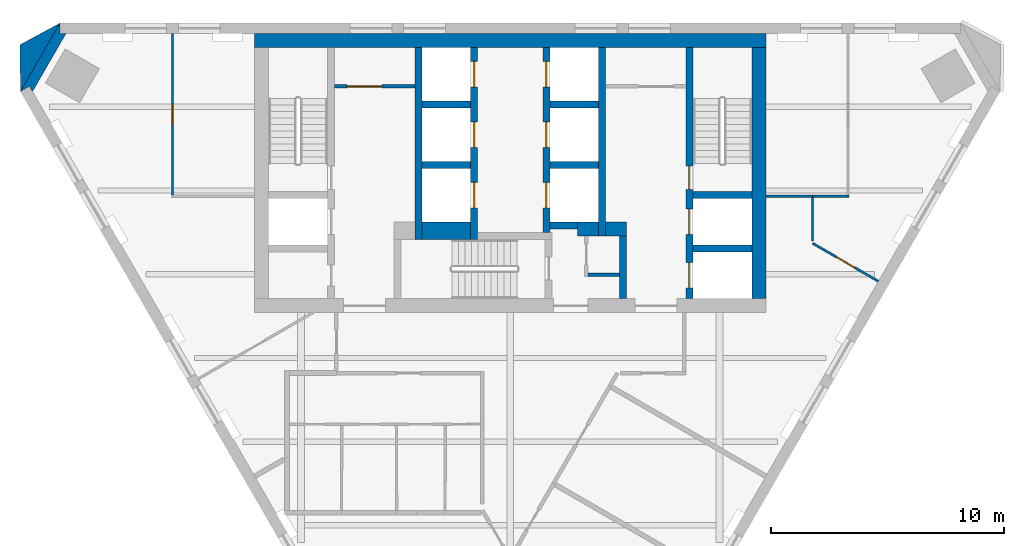
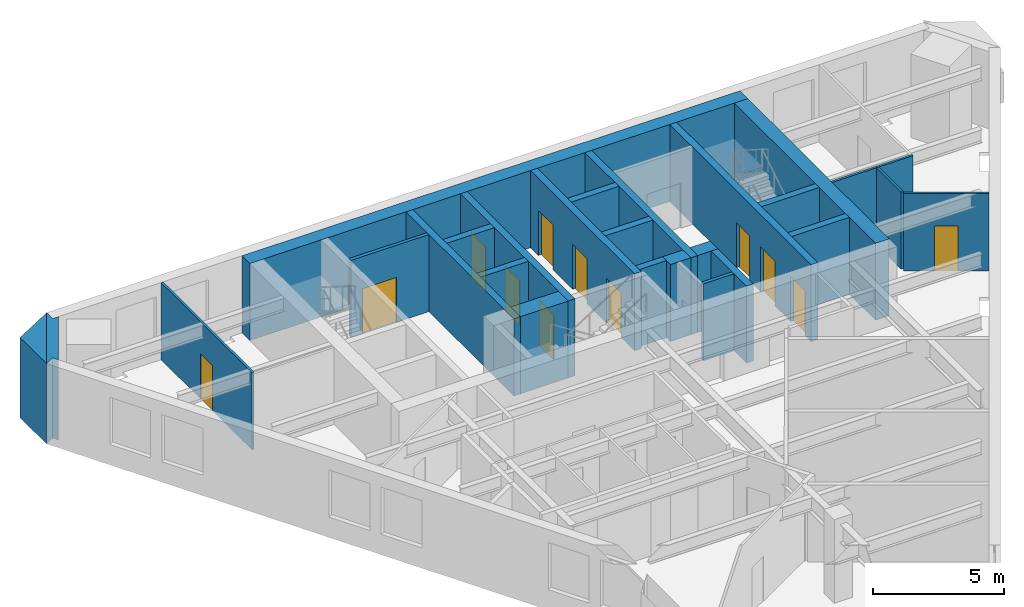
# One storey, part 4 of 6: 27 walls, 12 doors, 12 openings.
"""IFC4 building model written with IfcOpenShell, lengths in metres."""

from ifc_helpers import new_model, si_unit, direction, frame, frame_2d, origin, place, context, subcontext, project, spatial, polyline, rectangle, outline, extrude, material, layer, layer_set, type_object, element, fill, save


model = new_model("IFC4")

# Units and contexts
model_context = context("Model", 3, precision=1e-05, world=origin(), true_north=direction((0.0, 1.0)))
body_context = subcontext(model_context, "Body", "Model", "MODEL_VIEW")
ifc_project = project(units=[si_unit("LENGTHUNIT", "METRE"), si_unit("AREAUNIT", "SQUARE_METRE"), si_unit("VOLUMEUNIT", "CUBIC_METRE"), si_unit("PLANEANGLEUNIT", "RADIAN"), si_unit("MASSUNIT", "GRAM", prefix="KILO")], contexts=[model_context])

# Site, building, storey
site_placement = place(None, origin())
site = spatial("IfcSite", under=ifc_project, at=site_placement, CompositionType="ELEMENT")
building_placement = place(site_placement, origin())
building = spatial("IfcBuilding", under=site, at=building_placement, Name="Aloe Facet Convention Tower", CompositionType="ELEMENT")
storey_placement = place(building_placement, frame((0.0, 0.0, 223.10009765625)))
storey = spatial("IfcBuildingStorey", under=building, at=storey_placement, Name="L56", CompositionType="ELEMENT", Elevation=223.10009765625)

# Wall, opening, door
ifc_material_1 = material(Name="Concrete blockwork partition", Category="masonry")
ifc_layer_1 = layer(ifc_material_1, 0.14990234375)
ifc_layer_set_1 = layer_set([ifc_layer_1], Name="CR-W-PART150")
wall_type_1 = type_object("IfcWallType", Name="CR-W-PART150", PredefinedType="PARTITIONING", material=ifc_layer_set_1)
wall_1_placement = place(storey_placement, frame((72.449951171875, 132.27490234375, 0.0), z_axis=(0.0, 0.0, 1.0), x_axis=(1.0, 0.0, 0.0)))
wall_1 = element("IfcWall", 1, at=wall_1_placement, inside=storey, type_object=wall_type_1, Name="Core partition L56-007", PredefinedType="PARTITIONING", context=body_context, shape_type="SweptSolid", body=[
    extrude(rectangle(XDim=3.449951171875, YDim=0.14990234375, at=frame_2d((1.72509765625, 0.0))), origin(), (0.0, 0.0, 1.0), 3.599853515625),
])
opening_1_placement = place(wall_1_placement, frame((0.52490234375, 0.0, 0.0)))
opening_1 = element("IfcOpeningElement", 2, at=opening_1_placement, cuts=wall_1, Name="Opening L56-CD14", PredefinedType="OPENING", context=body_context, shape_type="SweptSolid", body=[
    extrude(rectangle(XDim=1.5, YDim=2.10009765625, at=frame_2d((0.75, 1.050048828125))), frame((0.0, 0.0849609375, 0.0), z_axis=(0.0, -1.0, 0.0), x_axis=(1.0, 0.0, 0.0)), (0.0, 0.0, 1.0), 0.169921875),
])
ifc_material_2 = material(Name="Steel fire-resisting door set FD60", Category="steel")
door_type_1 = type_object("IfcDoorType", Name="CR-D-REFUGE-1500-FD60-DD", OperationType="DOUBLE_DOOR_DOUBLE_SWING", PredefinedType="DOOR", material=ifc_material_2)
door_1_placement = place(opening_1_placement, origin())
door_1 = element("IfcDoor", 3, at=door_1_placement, inside=storey, type_object=door_type_1, Name="Core door L56-CD14", OperationType="DOUBLE_DOOR_DOUBLE_SWING", OverallHeight=2.10009765625, OverallWidth=1.5, PredefinedType="DOOR", context=body_context, shape_type="SweptSolid", body=[
    extrude(rectangle(XDim=1.5, YDim=2.10009765625, at=frame_2d((0.75, 1.050048828125))), frame((0.0, 0.02490234375, 0.0), z_axis=(0.0, -1.0, 0.0), x_axis=(1.0, 0.0, 0.0)), (0.0, 0.0, 1.0), 0.050048828125),
])
fill(opening_1, door_1)

# Walls
wall_2_placement = place(storey_placement, frame((83.35009765625, 124.175048828125, 0.0), z_axis=(0.0, 0.0, 1.0), x_axis=(1.0, 0.0, 0.0)))
element("IfcWall", 4, at=wall_2_placement, inside=storey, type_object=wall_type_1, Name="Core partition L56-023", PredefinedType="PARTITIONING", context=body_context, shape_type="SweptSolid", body=[
    extrude(rectangle(XDim=1.349853515625, YDim=0.14990234375, at=frame_2d((0.6748046875, 0.0))), origin(), (0.0, 0.0, 1.0), 3.599853515625),
])
ifc_material_3 = material(Name="Concrete C50/60", Category="concrete")
ifc_layer_2 = layer(ifc_material_3, 0.300048828125)
ifc_layer_set_2 = layer_set([ifc_layer_2], Name="CR-W-RC300-C5060")
wall_type_2 = type_object("IfcWallType", Name="CR-W-RC300-C5060", PredefinedType="SOLIDWALL", material=ifc_layer_set_2)
wall_3_placement = place(storey_placement, frame((76.050048828125, 133.949951171875, 0.0), z_axis=(0.0, 0.0, 1.0), x_axis=(0.0, -1.0, 0.0)))
element("IfcWall", 5, at=wall_3_placement, inside=storey, type_object=wall_type_2, Name="Core wall L56-010", PredefinedType="SOLIDWALL", context=body_context, shape_type="SweptSolid", body=[
    extrude(rectangle(XDim=8.25, YDim=0.300048828125, at=frame_2d((4.125, 0.0))), origin(), (0.0, 0.0, 1.0), 3.599853515625),
])
for number, where, z_axis, x_axis, name in (
    (6, (76.199951171875, 131.5, 0.0), (0.0, 0.0, 1.0), (1.0, 0.0, 0.0), "Core wall L56-011"),
    (7, (76.199951171875, 128.89990234375, 0.0), (0.0, 0.0, 1.0), (1.0, 0.0, 0.0), "Core wall L56-012"),
):
    element("IfcWall", number, at=place(storey_placement, frame(where, z_axis=z_axis, x_axis=x_axis)), inside=storey, type_object=wall_type_2, Name=name, PredefinedType="SOLIDWALL", context=body_context, shape_type="SweptSolid", body=[
        extrude(rectangle(XDim=2.10009765625, YDim=0.300048828125, at=frame_2d((1.050048828125, 0.0))), origin(), (0.0, 0.0, 1.0), 3.599853515625),
    ])

# Wall, openings, doors
wall_4_placement = place(storey_placement, frame((78.449951171875, 133.949951171875, 0.0), z_axis=(0.0, 0.0, 1.0), x_axis=(0.0, -1.0, 0.0)))
wall_4 = element("IfcWall", 8, at=wall_4_placement, inside=storey, type_object=wall_type_2, Name="Core wall L56-014", PredefinedType="SOLIDWALL", context=body_context, shape_type="SweptSolid", body=[
    extrude(rectangle(XDim=8.25, YDim=0.300048828125, at=frame_2d((4.125, 0.0))), origin(), (0.0, 0.0, 1.0), 3.599853515625),
])
opening_2_placement = place(wall_4_placement, frame((0.60009765625, 0.0, 0.0)))
opening_2 = element("IfcOpeningElement", 9, at=opening_2_placement, cuts=wall_4, Name="Opening LD-B1-L56", PredefinedType="OPENING", context=body_context, shape_type="SweptSolid", body=[
    extrude(rectangle(XDim=1.10009765625, YDim=2.10009765625, at=frame_2d((0.550048828125, 1.050048828125))), frame((0.0, 0.16015625, 0.0), z_axis=(0.0, -1.0, 0.0), x_axis=(1.0, 0.0, 0.0)), (0.0, 0.0, 1.0), 0.320068359375),
])
opening_3_placement = place(wall_4_placement, frame((3.199951171875, 0.0, 0.0)))
opening_3 = element("IfcOpeningElement", 10, at=opening_3_placement, cuts=wall_4, Name="Opening LD-B2-L56", PredefinedType="OPENING", context=body_context, shape_type="SweptSolid", body=[
    extrude(rectangle(XDim=1.10009765625, YDim=2.10009765625, at=frame_2d((0.550048828125, 1.050048828125))), frame((0.0, 0.16015625, 0.0), z_axis=(0.0, -1.0, 0.0), x_axis=(1.0, 0.0, 0.0)), (0.0, 0.0, 1.0), 0.320068359375),
])
opening_4_placement = place(wall_4_placement, frame((5.800048828125, 0.0, 0.0)))
opening_4 = element("IfcOpeningElement", 11, at=opening_4_placement, cuts=wall_4, Name="Opening LD-B3-L56", PredefinedType="OPENING", context=body_context, shape_type="SweptSolid", body=[
    extrude(rectangle(XDim=1.10009765625, YDim=2.10009765625, at=frame_2d((0.550048828125, 1.050048828125))), frame((0.0, 0.16015625, 0.0), z_axis=(0.0, -1.0, 0.0), x_axis=(1.0, 0.0, 0.0)), (0.0, 0.0, 1.0), 0.320068359375),
])
ifc_material_4 = material(Name="Stainless steel sliding landing door", Category="steel")
door_type_2 = type_object("IfcDoorType", Name="CR-LD-1100-FD60-RIGHT", OperationType="SLIDING_TO_RIGHT", PredefinedType="DOOR", material=ifc_material_4)
door_2_placement = place(opening_2_placement, origin())
door_2 = element("IfcDoor", 12, at=door_2_placement, inside=storey, type_object=door_type_2, Name="Landing door B1 L56", OperationType="SLIDING_TO_RIGHT", OverallHeight=2.10009765625, OverallWidth=1.10009765625, PredefinedType="DOOR", context=body_context, shape_type="SweptSolid", body=[
    extrude(rectangle(XDim=1.10009765625, YDim=2.10009765625, at=frame_2d((0.550048828125, 1.050048828125))), frame((0.0, 0.02490234375, 0.0), z_axis=(0.0, -1.0, 0.0), x_axis=(1.0, 0.0, 0.0)), (0.0, 0.0, 1.0), 0.050048828125),
])
fill(opening_2, door_2)
door_3_placement = place(opening_3_placement, origin())
door_3 = element("IfcDoor", 13, at=door_3_placement, inside=storey, type_object=door_type_2, Name="Landing door B2 L56", OperationType="SLIDING_TO_RIGHT", OverallHeight=2.10009765625, OverallWidth=1.10009765625, PredefinedType="DOOR", context=body_context, shape_type="SweptSolid", body=[
    extrude(rectangle(XDim=1.10009765625, YDim=2.10009765625, at=frame_2d((0.550048828125, 1.050048828125))), frame((0.0, 0.02490234375, 0.0), z_axis=(0.0, -1.0, 0.0), x_axis=(1.0, 0.0, 0.0)), (0.0, 0.0, 1.0), 0.050048828125),
])
fill(opening_3, door_3)
door_4_placement = place(opening_4_placement, origin())
door_4 = element("IfcDoor", 14, at=door_4_placement, inside=storey, type_object=door_type_2, Name="Landing door B3 L56", OperationType="SLIDING_TO_RIGHT", OverallHeight=2.10009765625, OverallWidth=1.10009765625, PredefinedType="DOOR", context=body_context, shape_type="SweptSolid", body=[
    extrude(rectangle(XDim=1.10009765625, YDim=2.10009765625, at=frame_2d((0.550048828125, 1.050048828125))), frame((0.0, 0.02490234375, 0.0), z_axis=(0.0, -1.0, 0.0), x_axis=(1.0, 0.0, 0.0)), (0.0, 0.0, 1.0), 0.050048828125),
])
fill(opening_4, door_4)

wall_5_placement = place(storey_placement, frame((81.550048828125, 133.949951171875, 0.0), z_axis=(0.0, 0.0, 1.0), x_axis=(0.0, -1.0, 0.0)))
wall_5 = element("IfcWall", 15, at=wall_5_placement, inside=storey, type_object=wall_type_2, Name="Core wall L56-016", PredefinedType="SOLIDWALL", context=body_context, shape_type="SweptSolid", body=[
    extrude(rectangle(XDim=7.949951171875, YDim=0.300048828125, at=frame_2d((3.97509765625, 0.0))), origin(), (0.0, 0.0, 1.0), 3.599853515625),
])
opening_5_placement = place(wall_5_placement, frame((0.60009765625, 0.0, 0.0)))
opening_5 = element("IfcOpeningElement", 16, at=opening_5_placement, cuts=wall_5, Name="Opening LD-B4-L56", PredefinedType="OPENING", context=body_context, shape_type="SweptSolid", body=[
    extrude(rectangle(XDim=1.10009765625, YDim=2.10009765625, at=frame_2d((0.550048828125, 1.050048828125))), frame((0.0, 0.16015625, 0.0), z_axis=(0.0, -1.0, 0.0), x_axis=(1.0, 0.0, 0.0)), (0.0, 0.0, 1.0), 0.320068359375),
])
opening_6_placement = place(wall_5_placement, frame((3.199951171875, 0.0, 0.0)))
opening_6 = element("IfcOpeningElement", 17, at=opening_6_placement, cuts=wall_5, Name="Opening LD-B5-L56", PredefinedType="OPENING", context=body_context, shape_type="SweptSolid", body=[
    extrude(rectangle(XDim=1.10009765625, YDim=2.10009765625, at=frame_2d((0.550048828125, 1.050048828125))), frame((0.0, 0.16015625, 0.0), z_axis=(0.0, -1.0, 0.0), x_axis=(1.0, 0.0, 0.0)), (0.0, 0.0, 1.0), 0.320068359375),
])
opening_7_placement = place(wall_5_placement, frame((5.800048828125, 0.0, 0.0)))
opening_7 = element("IfcOpeningElement", 18, at=opening_7_placement, cuts=wall_5, Name="Opening LD-B6-L56", PredefinedType="OPENING", context=body_context, shape_type="SweptSolid", body=[
    extrude(rectangle(XDim=1.10009765625, YDim=2.10009765625, at=frame_2d((0.550048828125, 1.050048828125))), frame((0.0, 0.16015625, 0.0), z_axis=(0.0, -1.0, 0.0), x_axis=(1.0, 0.0, 0.0)), (0.0, 0.0, 1.0), 0.320068359375),
])
ifc_material_5 = material(Name="Stainless steel sliding landing door", Category="steel")
door_type_3 = type_object("IfcDoorType", Name="CR-LD-1100-FD60-_LEFT", OperationType="SLIDING_TO_LEFT", PredefinedType="DOOR", material=ifc_material_5)
door_5_placement = place(opening_5_placement, origin())
door_5 = element("IfcDoor", 19, at=door_5_placement, inside=storey, type_object=door_type_3, Name="Landing door B4 L56", OperationType="SLIDING_TO_LEFT", OverallHeight=2.10009765625, OverallWidth=1.10009765625, PredefinedType="DOOR", context=body_context, shape_type="SweptSolid", body=[
    extrude(rectangle(XDim=1.10009765625, YDim=2.10009765625, at=frame_2d((0.550048828125, 1.050048828125))), frame((0.0, 0.02490234375, 0.0), z_axis=(0.0, -1.0, 0.0), x_axis=(1.0, 0.0, 0.0)), (0.0, 0.0, 1.0), 0.050048828125),
])
fill(opening_5, door_5)
door_6_placement = place(opening_6_placement, origin())
door_6 = element("IfcDoor", 20, at=door_6_placement, inside=storey, type_object=door_type_3, Name="Landing door B5 L56", OperationType="SLIDING_TO_LEFT", OverallHeight=2.10009765625, OverallWidth=1.10009765625, PredefinedType="DOOR", context=body_context, shape_type="SweptSolid", body=[
    extrude(rectangle(XDim=1.10009765625, YDim=2.10009765625, at=frame_2d((0.550048828125, 1.050048828125))), frame((0.0, 0.02490234375, 0.0), z_axis=(0.0, -1.0, 0.0), x_axis=(1.0, 0.0, 0.0)), (0.0, 0.0, 1.0), 0.050048828125),
])
fill(opening_6, door_6)
door_7_placement = place(opening_7_placement, origin())
door_7 = element("IfcDoor", 21, at=door_7_placement, inside=storey, type_object=door_type_3, Name="Landing door B6 L56", OperationType="SLIDING_TO_LEFT", OverallHeight=2.10009765625, OverallWidth=1.10009765625, PredefinedType="DOOR", context=body_context, shape_type="SweptSolid", body=[
    extrude(rectangle(XDim=1.10009765625, YDim=2.10009765625, at=frame_2d((0.550048828125, 1.050048828125))), frame((0.0, 0.02490234375, 0.0), z_axis=(0.0, -1.0, 0.0), x_axis=(1.0, 0.0, 0.0)), (0.0, 0.0, 1.0), 0.050048828125),
])
fill(opening_7, door_7)

# Walls
for number, where, z_axis, x_axis, name in (
    (22, (81.699951171875, 131.5, 0.0), (0.0, 0.0, 1.0), (1.0, 0.0, 0.0), "Core wall L56-018"),
    (23, (81.699951171875, 128.89990234375, 0.0), (0.0, 0.0, 1.0), (1.0, 0.0, 0.0), "Core wall L56-019"),
):
    element("IfcWall", number, at=place(storey_placement, frame(where, z_axis=z_axis, x_axis=x_axis)), inside=storey, type_object=wall_type_2, Name=name, PredefinedType="SOLIDWALL", context=body_context, shape_type="SweptSolid", body=[
        extrude(rectangle(XDim=2.10009765625, YDim=0.300048828125, at=frame_2d((1.050048828125, 0.0))), origin(), (0.0, 0.0, 1.0), 3.599853515625),
    ])
wall_6_placement = place(storey_placement, frame((81.699951171875, 126.300048828125, 0.0), z_axis=(0.0, 0.0, 1.0), x_axis=(1.0, 0.0, 0.0)))
element("IfcWall", 24, at=wall_6_placement, inside=storey, type_object=wall_type_2, Name="Core wall L56-020", PredefinedType="SOLIDWALL", context=body_context, shape_type="SweptSolid", body=[
    extrude(rectangle(XDim=1.199951171875, YDim=0.300048828125, at=frame_2d((0.60009765625, 0.0))), origin(), (0.0, 0.0, 1.0), 3.599853515625),
])
wall_7_placement = place(storey_placement, frame((83.949951171875, 133.949951171875, 0.0), z_axis=(0.0, 0.0, 1.0), x_axis=(0.0, -1.0, 0.0)))
element("IfcWall", 25, at=wall_7_placement, inside=storey, type_object=wall_type_2, Name="Core wall L56-024", PredefinedType="SOLIDWALL", context=body_context, shape_type="SweptSolid", body=[
    extrude(rectangle(XDim=8.099853515625, YDim=0.300048828125, at=frame_2d((4.0498046875, 0.0))), origin(), (0.0, 0.0, 1.0), 3.599853515625),
])
wall_8_placement = place(storey_placement, frame((84.85009765625, 125.85009765625, 0.0), z_axis=(0.0, 0.0, 1.0), x_axis=(0.0, -1.0, 0.0)))
element("IfcWall", 26, at=wall_8_placement, inside=storey, type_object=wall_type_2, Name="Core wall L56-027", PredefinedType="SOLIDWALL", context=body_context, shape_type="SweptSolid", body=[
    extrude(rectangle(XDim=2.7001953125, YDim=0.300048828125, at=frame_2d((1.35009765625, 0.0))), origin(), (0.0, 0.0, 1.0), 3.599853515625),
])

# Wall, openings, doors
wall_9_placement = place(storey_placement, frame((87.699951171875, 133.949951171875, 0.0), z_axis=(0.0, 0.0, 1.0), x_axis=(0.0, -1.0, 0.0)))
wall_9 = element("IfcWall", 27, at=wall_9_placement, inside=storey, type_object=wall_type_2, Name="Core wall L56-028", PredefinedType="SOLIDWALL", context=body_context, shape_type="SweptSolid", body=[
    extrude(rectangle(XDim=10.800048828125, YDim=0.300048828125, at=frame_2d((5.39990234375, 0.0))), origin(), (0.0, 0.0, 1.0), 3.599853515625),
])
opening_8_placement = place(wall_9_placement, frame((6.949951171875, 0.0, 0.0)))
opening_8 = element("IfcOpeningElement", 28, at=opening_8_placement, cuts=wall_9, Name="Opening LD-FF2-L56", PredefinedType="OPENING", context=body_context, shape_type="SweptSolid", body=[
    extrude(rectangle(XDim=1.10009765625, YDim=2.10009765625, at=frame_2d((0.550048828125, 1.050048828125))), frame((0.0, 0.16015625, 0.0), z_axis=(0.0, -1.0, 0.0), x_axis=(1.0, 0.0, 0.0)), (0.0, 0.0, 1.0), 0.320068359375),
])
opening_9_placement = place(wall_9_placement, frame((5.10009765625, 0.0, 0.0)))
opening_9 = element("IfcOpeningElement", 29, at=opening_9_placement, cuts=wall_9, Name="Opening L56-CD17", PredefinedType="OPENING", context=body_context, shape_type="SweptSolid", body=[
    extrude(rectangle(XDim=1.0, YDim=2.10009765625, at=frame_2d((0.5, 1.050048828125))), frame((0.0, 0.16015625, 0.0), z_axis=(0.0, -1.0, 0.0), x_axis=(1.0, 0.0, 0.0)), (0.0, 0.0, 1.0), 0.320068359375),
])
opening_10_placement = place(wall_9_placement, frame((9.25, 0.0, 0.0)))
opening_10 = element("IfcOpeningElement", 30, at=opening_10_placement, cuts=wall_9, Name="Opening LD-SV1-L56", PredefinedType="OPENING", context=body_context, shape_type="SweptSolid", body=[
    extrude(rectangle(XDim=1.10009765625, YDim=2.10009765625, at=frame_2d((0.550048828125, 1.050048828125))), frame((0.0, 0.16015625, 0.0), z_axis=(0.0, -1.0, 0.0), x_axis=(1.0, 0.0, 0.0)), (0.0, 0.0, 1.0), 0.320068359375),
])
ifc_material_6 = material(Name="Steel fire-resisting door set FD120", Category="steel")
door_type_4 = type_object("IfcDoorType", Name="CR-D-STAIR-1000-FD120-SLEFT", OperationType="SINGLE_SWING_LEFT", PredefinedType="DOOR", material=ifc_material_6)
door_8_placement = place(opening_9_placement, origin())
door_8 = element("IfcDoor", 31, at=door_8_placement, inside=storey, type_object=door_type_4, Name="Core door L56-CD17", OperationType="SINGLE_SWING_LEFT", OverallHeight=2.10009765625, OverallWidth=1.0, PredefinedType="DOOR", context=body_context, shape_type="SweptSolid", body=[
    extrude(rectangle(XDim=1.0, YDim=2.10009765625, at=frame_2d((0.5, 1.050048828125))), frame((0.0, 0.02490234375, 0.0), z_axis=(0.0, -1.0, 0.0), x_axis=(1.0, 0.0, 0.0)), (0.0, 0.0, 1.0), 0.050048828125),
])
fill(opening_9, door_8)
ifc_material_7 = material(Name="Stainless steel sliding landing door", Category="steel")
door_type_5 = type_object("IfcDoorType", Name="CR-LD-1100-FD120-_LEFT", OperationType="SLIDING_TO_LEFT", PredefinedType="DOOR", material=ifc_material_7)
door_9_placement = place(opening_8_placement, origin())
door_9 = element("IfcDoor", 32, at=door_9_placement, inside=storey, type_object=door_type_5, Name="Landing door FF2 L56", OperationType="SLIDING_TO_LEFT", OverallHeight=2.10009765625, OverallWidth=1.10009765625, PredefinedType="DOOR", context=body_context, shape_type="SweptSolid", body=[
    extrude(rectangle(XDim=1.10009765625, YDim=2.10009765625, at=frame_2d((0.550048828125, 1.050048828125))), frame((0.0, 0.02490234375, 0.0), z_axis=(0.0, -1.0, 0.0), x_axis=(1.0, 0.0, 0.0)), (0.0, 0.0, 1.0), 0.050048828125),
])
fill(opening_8, door_9)
door_10_placement = place(opening_10_placement, origin())
door_10 = element("IfcDoor", 33, at=door_10_placement, inside=storey, type_object=door_type_5, Name="Landing door SV1 L56", OperationType="SLIDING_TO_LEFT", OverallHeight=2.10009765625, OverallWidth=1.10009765625, PredefinedType="DOOR", context=body_context, shape_type="SweptSolid", body=[
    extrude(rectangle(XDim=1.10009765625, YDim=2.10009765625, at=frame_2d((0.550048828125, 1.050048828125))), frame((0.0, 0.02490234375, 0.0), z_axis=(0.0, -1.0, 0.0), x_axis=(1.0, 0.0, 0.0)), (0.0, 0.0, 1.0), 0.050048828125),
])
fill(opening_10, door_10)

# Walls
for number, where, z_axis, x_axis, name in (
    (34, (87.85009765625, 127.60009765625, 0.0), (0.0, 0.0, 1.0), (1.0, 0.0, 0.0), "Core wall L56-029"),
    (35, (87.85009765625, 125.300048828125, 0.0), (0.0, 0.0, 1.0), (1.0, 0.0, 0.0), "Core wall L56-030"),
):
    element("IfcWall", number, at=place(storey_placement, frame(where, z_axis=z_axis, x_axis=x_axis)), inside=storey, type_object=wall_type_2, Name=name, PredefinedType="SOLIDWALL", context=body_context, shape_type="SweptSolid", body=[
        extrude(rectangle(XDim=2.5498046875, YDim=0.300048828125, at=frame_2d((1.27490234375, 0.0))), origin(), (0.0, 0.0, 1.0), 3.599853515625),
    ])
ifc_material_8 = material(Name="Concrete C50/60", Category="concrete")
ifc_layer_3 = layer(ifc_material_8, 0.60009765625)
ifc_layer_set_3 = layer_set([ifc_layer_3], Name="CR-W-RC600-C5060")
wall_type_3 = type_object("IfcWallType", Name="CR-W-RC600-C5060", PredefinedType="SOLIDWALL", material=ifc_layer_set_3)
wall_10_placement = place(storey_placement, frame((69.0, 134.25, 0.0), z_axis=(0.0, 0.0, 1.0), x_axis=(1.0, 0.0, 0.0)))
element("IfcWall", 36, at=wall_10_placement, inside=storey, type_object=wall_type_3, Name="Core wall L56-001", PredefinedType="SOLIDWALL", context=body_context, shape_type="SweptSolid", body=[
    extrude(rectangle(XDim=22.0, YDim=0.60009765625, at=frame_2d((11.0, 0.0))), origin(), (0.0, 0.0, 1.0), 3.599853515625),
])
wall_11_placement = place(storey_placement, frame((82.89990234375, 126.14990234375, 0.0), z_axis=(0.0, 0.0, 1.0), x_axis=(1.0, 0.0, 0.0)))
element("IfcWall", 37, at=wall_11_placement, inside=storey, type_object=wall_type_3, Name="Core wall L56-021", PredefinedType="SOLIDWALL", context=body_context, shape_type="SweptSolid", body=[
    extrude(rectangle(XDim=0.900146484375, YDim=0.60009765625, at=frame_2d((0.4501953125, 0.0))), origin(), (0.0, 0.0, 1.0), 3.599853515625),
])
wall_12_placement = place(storey_placement, frame((84.10009765625, 126.14990234375, 0.0), z_axis=(0.0, 0.0, 1.0), x_axis=(1.0, 0.0, 0.0)))
element("IfcWall", 38, at=wall_12_placement, inside=storey, type_object=wall_type_3, Name="Core wall L56-026", PredefinedType="SOLIDWALL", context=body_context, shape_type="SweptSolid", body=[
    extrude(rectangle(XDim=0.89990234375, YDim=0.60009765625, at=frame_2d((0.449951171875, 0.0))), origin(), (0.0, 0.0, 1.0), 3.599853515625),
])
wall_13_placement = place(storey_placement, frame((90.699951171875, 133.949951171875, 0.0), z_axis=(0.0, 0.0, 1.0), x_axis=(0.0, -1.0, 0.0)))
element("IfcWall", 39, at=wall_13_placement, inside=storey, type_object=wall_type_3, Name="Core wall L56-031", PredefinedType="SOLIDWALL", context=body_context, shape_type="SweptSolid", body=[
    extrude(rectangle(XDim=10.800048828125, YDim=0.60009765625, at=frame_2d((5.39990234375, 0.0))), origin(), (0.0, 0.0, 1.0), 3.599853515625),
])
ifc_material_9 = material(Name="Concrete C50/60", Category="concrete")
ifc_layer_4 = layer(ifc_material_9, 0.75)
ifc_layer_set_4 = layer_set([ifc_layer_4], Name="CR-W-RC750-C5060")
wall_type_4 = type_object("IfcWallType", Name="CR-W-RC750-C5060", PredefinedType="SOLIDWALL", material=ifc_layer_set_4)
wall_14_placement = place(storey_placement, frame((76.199951171875, 126.074951171875, 0.0), z_axis=(0.0, 0.0, 1.0), x_axis=(1.0, 0.0, 0.0)))
element("IfcWall", 40, at=wall_14_placement, inside=storey, type_object=wall_type_4, Name="Core wall L56-013", PredefinedType="SOLIDWALL", context=body_context, shape_type="SweptSolid", body=[
    extrude(rectangle(XDim=2.10009765625, YDim=0.75, at=frame_2d((1.050048828125, 0.0))), origin(), (0.0, 0.0, 1.0), 3.599853515625),
])
ifc_material_10 = material(Name="Precast concrete C40/50", Category="concrete")
ifc_layer_5 = layer(ifc_material_10, 0.449951171875)
ifc_layer_set_5 = layer_set([ifc_layer_5], Name="EV-WALL-PIER")
wall_type_5 = type_object("IfcWallType", Name="EV-WALL-PIER", PredefinedType="SOLIDWALL", material=ifc_layer_set_5)
wall_15_placement = place(storey_placement, frame((0.0, 0.0, -0.150146484375)))
element("IfcWall", 41, at=wall_15_placement, inside=storey, type_object=wall_type_5, Name="EP-L56-A", PredefinedType="SOLIDWALL", context=body_context, shape_type="SweptSolid", body=[
    extrude(outline(polyline([(60.635498046875, 135.0), (60.635498046875, 134.550048828125), (60.895263671875, 134.550048828125), (59.455078125, 132.055419921875), (59.3251953125, 132.280517578125), (58.935302734375, 132.055419921875), (60.635498046875, 135.0)])), origin(), (0.0, 0.0, 1.0), 3.75),
])
ifc_material_11 = material(Name="Precast concrete C40/50", Category="concrete")
ifc_layer_6 = layer(ifc_material_11, 3.947998046875)
ifc_layer_set_6 = layer_set([ifc_layer_6], Name="EV-WALL-SPINE")
wall_type_6 = type_object("IfcWallType", Name="EV-WALL-SPINE", PredefinedType="SOLIDWALL", material=ifc_layer_set_6)
wall_16_placement = place(storey_placement, frame((0.0, 0.0, -0.150146484375)))
element("IfcWall", 42, at=wall_16_placement, inside=storey, type_object=wall_type_6, Name="SP-NW-L56", PredefinedType="SOLIDWALL", context=body_context, shape_type="SweptSolid", body=[
    extrude(outline(polyline([(60.635498046875, 135.0), (58.91796875, 134.0703125), (58.935302734375, 132.055419921875), (60.635498046875, 135.0)])), origin(), (0.0, 0.0, 1.0), 3.75),
])

# Wall, opening, door
ifc_material_12 = material(Name="Gypsum board partition on steel studs", Category="steel")
ifc_layer_7 = layer(ifc_material_12, 0.10009765625)
ifc_layer_set_7 = layer_set([ifc_layer_7], Name="IN-W-PART")
wall_type_7 = type_object("IfcWallType", Name="IN-W-PART", PredefinedType="PARTITIONING", material=ifc_layer_set_7)
wall_17_placement = place(storey_placement, frame((93.0, 125.531494140625, 0.0), z_axis=(0.0, 0.0, 1.0), x_axis=(0.866035243948, -0.499982955949, 0.0)))
wall_17 = element("IfcWall", 43, at=wall_17_placement, inside=storey, type_object=wall_type_7, Name="Partition L56-W036", PredefinedType="PARTITIONING", context=body_context, shape_type="SweptSolid", body=[
    extrude(rectangle(XDim=3.27197265625, YDim=0.10009765625, at=frame_2d((1.635986328125, 0.0))), origin(), (0.0, 0.0, 1.0), 3.599853515625),
])
opening_11_placement = place(wall_17_placement, frame((1.18603515625, 0.0, 0.0)))
opening_11 = element("IfcOpeningElement", 44, at=opening_11_placement, cuts=wall_17, Name="Opening L56-014", PredefinedType="OPENING", context=body_context, shape_type="SweptSolid", body=[
    extrude(rectangle(XDim=0.89990234375, YDim=2.10009765625, at=frame_2d((0.449951171875, 1.050048828125))), frame((0.0, 0.06005859375, 0.0), z_axis=(0.0, -1.0, 0.0), x_axis=(1.0, 0.0, 0.0)), (0.0, 0.0, 1.0), 0.1201171875),
])
ifc_material_13 = material(Name="Timber door", Category="wood")
door_type_6 = type_object("IfcDoorType", Name="IN-OFF-D-ROOM", OperationType="SINGLE_SWING_LEFT", PredefinedType="DOOR", material=ifc_material_13)
door_11_placement = place(opening_11_placement, origin())
door_11 = element("IfcDoor", 45, at=door_11_placement, inside=storey, type_object=door_type_6, Name="Door L56-014", OperationType="SINGLE_SWING_LEFT", OverallHeight=2.10009765625, OverallWidth=0.89990234375, PredefinedType="DOOR", context=body_context, shape_type="SweptSolid", body=[
    extrude(rectangle(XDim=0.89990234375, YDim=2.10009765625, at=frame_2d((0.449951171875, 1.050048828125))), frame((0.0, 0.02490234375, 0.0), z_axis=(0.0, -1.0, 0.0), x_axis=(1.0, 0.0, 0.0)), (0.0, 0.0, 1.0), 0.050048828125),
])
fill(opening_11, door_11)

# Walls
wall_18_placement = place(storey_placement, frame((91.0, 127.547119140625, 0.0), z_axis=(0.0, 0.0, 1.0), x_axis=(1.0, 0.0, 0.0)))
element("IfcWall", 46, at=wall_18_placement, inside=storey, type_object=wall_type_7, Name="Partition L56-W037", PredefinedType="PARTITIONING", context=body_context, shape_type="SweptSolid", body=[
    extrude(rectangle(XDim=1.9970703125, YDim=0.10009765625, at=frame_2d((0.99853515625, 0.0))), origin(), (0.0, 0.0, 1.0), 3.599853515625),
])
wall_19_placement = place(storey_placement, frame((93.0, 125.6181640625, 0.0), z_axis=(0.0, 0.0, 1.0), x_axis=(-0.001559249664, 0.99999878437, 0.0)))
element("IfcWall", 47, at=wall_19_placement, inside=storey, type_object=wall_type_7, Name="Partition L56-W039", PredefinedType="PARTITIONING", context=body_context, shape_type="SweptSolid", body=[
    extrude(rectangle(XDim=1.87890625, YDim=0.10009765625, at=frame_2d((0.939453125, 0.0))), origin(), (0.0, 0.0, 1.0), 3.599853515625),
])
wall_20_placement = place(storey_placement, frame((92.9970703125, 127.547119140625, 0.0), z_axis=(0.0, 0.0, 1.0), x_axis=(0.999998272019, 0.0018590208, 0.0)))
element("IfcWall", 48, at=wall_20_placement, inside=storey, type_object=wall_type_7, Name="Partition L56-W040", PredefinedType="PARTITIONING", context=body_context, shape_type="SweptSolid", body=[
    extrude(rectangle(XDim=1.575927734375, YDim=0.10009765625, at=frame_2d((0.7880859375, 0.0))), origin(), (0.0, 0.0, 1.0), 3.599853515625),
])

# Wall, opening, door
wall_21_placement = place(storey_placement, frame((65.4736328125, 134.5498046875, 0.0), z_axis=(0.0, 0.0, 1.0), x_axis=(0.000491814737, -0.999999879059, 0.0)))
wall_21 = element("IfcWall", 49, at=wall_21_placement, inside=storey, type_object=wall_type_7, Name="Partition L56-W042", PredefinedType="PARTITIONING", context=body_context, shape_type="SweptSolid", body=[
    extrude(rectangle(XDim=6.94970703125, YDim=0.10009765625, at=frame_2d((3.474853515625, 0.0))), origin(), (0.0, 0.0, 1.0), 3.599853515625),
])
opening_12_placement = place(wall_21_placement, frame((3.02490234375, 0.0, 0.0)))
opening_12 = element("IfcOpeningElement", 50, at=opening_12_placement, cuts=wall_21, Name="Opening L56-007", PredefinedType="OPENING", context=body_context, shape_type="SweptSolid", body=[
    extrude(rectangle(XDim=0.89990234375, YDim=2.10009765625, at=frame_2d((0.449951171875, 1.050048828125))), frame((0.0, 0.06005859375, 0.0), z_axis=(0.0, -1.0, 0.0), x_axis=(1.0, 0.0, 0.0)), (0.0, 0.0, 1.0), 0.1201171875),
])
door_12_placement = place(opening_12_placement, origin())
door_12 = element("IfcDoor", 51, at=door_12_placement, inside=storey, type_object=door_type_6, Name="Door L56-007", OperationType="SINGLE_SWING_LEFT", OverallHeight=2.10009765625, OverallWidth=0.89990234375, PredefinedType="DOOR", context=body_context, shape_type="SweptSolid", body=[
    extrude(rectangle(XDim=0.89990234375, YDim=2.10009765625, at=frame_2d((0.449951171875, 1.050048828125))), frame((0.0, 0.02490234375, 0.0), z_axis=(0.0, -1.0, 0.0), x_axis=(1.0, 0.0, 0.0)), (0.0, 0.0, 1.0), 0.050048828125),
])
fill(opening_12, door_12)

save(model, "model.ifc")
